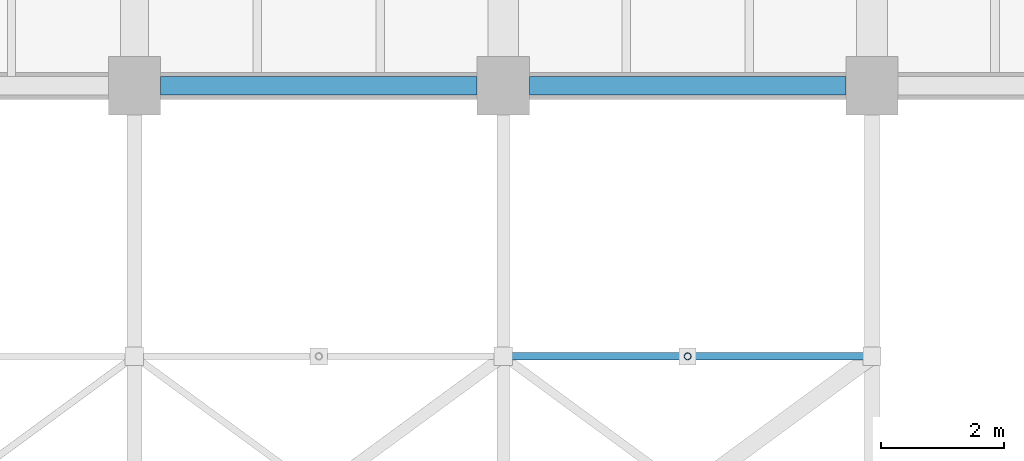
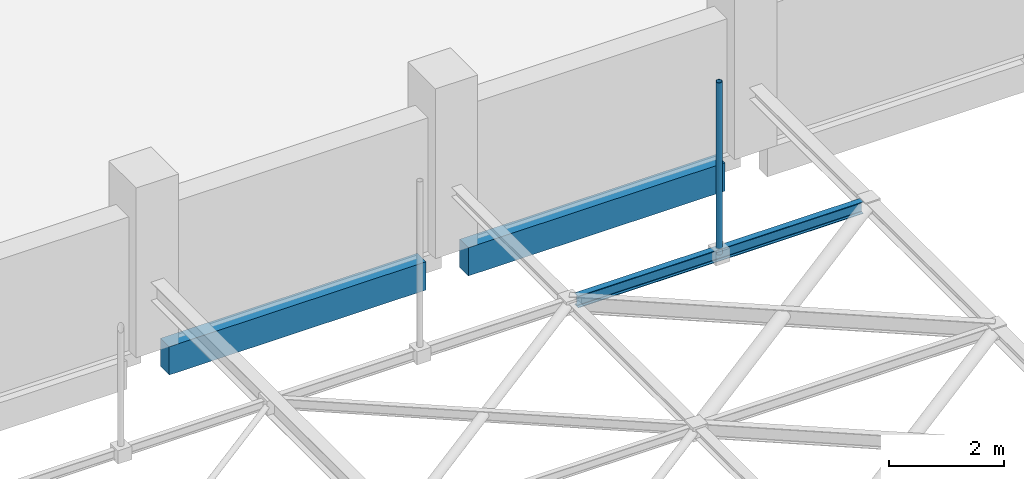
# One storey, part 55 of 93: 3 beams, 1 member.
"""IFC4 building model written with IfcOpenShell, lengths in metres."""

from ifc_helpers import new_model, si_unit, direction, frame, origin, origin_2d, place, context, subcontext, project, spatial, rectangle, hollow_circle, i_section, extrude, material, material_profile, profile_set, type_object, element, save


model = new_model("IFC4")

# Units and contexts
model_context = context("Model", 3, precision=1e-05, world=origin(), true_north=direction((0.0, 1.0)))
body_context = subcontext(model_context, "Body", "Model", "MODEL_VIEW")
ifc_project = project(units=[si_unit("LENGTHUNIT", "METRE"), si_unit("AREAUNIT", "SQUARE_METRE"), si_unit("VOLUMEUNIT", "CUBIC_METRE"), si_unit("PLANEANGLEUNIT", "RADIAN"), si_unit("MASSUNIT", "GRAM", prefix="KILO")], contexts=[model_context])

# Site, building, storey
site_placement = place(None, origin())
site = spatial("IfcSite", under=ifc_project, at=site_placement, CompositionType="ELEMENT")
building_placement = place(site_placement, origin())
building = spatial("IfcBuilding", under=site, at=building_placement, Name="Varnakota Cinema and Media Centre", CompositionType="ELEMENT")
storey_placement = place(building_placement, frame((0.0, 0.0, 12.0)))
storey = spatial("IfcBuildingStorey", under=building, at=storey_placement, Name="L03", CompositionType="ELEMENT", Elevation=12.0)

# Beams
ifc_material_1 = material(Name="Concrete M35", Category="concrete")
ifc_material_profile_1 = material_profile(ifc_material_1, rectangle(XDim=0.300048828125, YDim=0.60009765625, at=origin_2d()), Name="RCB 300x600")
ifc_profile_set_1 = profile_set([ifc_material_profile_1], Name="Concrete M35")
beam_type_1 = type_object("IfcBeamType", Name="BM-SP-300x600", PredefinedType="SPANDREL", material=ifc_profile_set_1)
for number, where, z_axis, x_axis, name in (
    (1, (117.425048828125, 35.199951171875, -0.56005859375), (1.0, 0.0, 0.0), (0.0, 1.0, 0.0), "L03 girder S-T/5"),
    (2, (123.425048828125, 35.199951171875, -0.56005859375), (1.0, 0.0, 0.0), (0.0, 1.0, 0.0), "L03 girder T-U/5"),
):
    element("IfcBeam", number, at=place(storey_placement, frame(where, z_axis=z_axis, x_axis=x_axis)), inside=storey, type_object=beam_type_1, Name=name, PredefinedType="SPANDREL", context=body_context, shape_type="SweptSolid", body=[
        extrude(rectangle(XDim=0.300048828125, YDim=0.60009765625, at=origin_2d()), origin(), (0.0, 0.0, 1.0), 5.14990234375),
    ])
ifc_material_2 = material(Name="Structural steel Grade 350 (E350)", Category="steel")
ifc_material_profile_2 = material_profile(ifc_material_2, i_section(OverallWidth=0.125, OverallDepth=0.25, WebThickness=0.0068359375, FlangeThickness=0.012451171875, FilletRadius=0.012939453125, at=origin_2d()), Name="ISMB 250")
ifc_profile_set_2 = profile_set([ifc_material_profile_2], Name="Structural steel Grade 350 (E350)")
beam_type_2 = type_object("IfcBeamType", Name="BM-ST-ISMB250", PredefinedType="JOIST", material=ifc_profile_set_2)
beam_placement = place(storey_placement, frame((123.139892578125, 30.800048828125, 1.300048828125), z_axis=(1.0, 0.0, 0.0), x_axis=(0.0, 1.0, 0.0)))
element("IfcBeam", 3, at=beam_placement, inside=storey, type_object=beam_type_2, Name="V1 rigging beam 9.7", PredefinedType="JOIST", context=body_context, shape_type="SweptSolid", body=[
    extrude(i_section(OverallWidth=0.125, OverallDepth=0.25, WebThickness=0.0068359375, FlangeThickness=0.012451171875, FilletRadius=0.012939453125, at=origin_2d()), origin(), (0.0, 0.0, 1.0), 5.72021484375),
])

# Member
ifc_material_3 = material(Name="Structural steel S355 (YSt 355)", Category="steel")
ifc_material_profile_3 = material_profile(ifc_material_3, hollow_circle(Radius=0.05712890625, WallThickness=0.00537109375, at=origin_2d()), Name="CHS 114.3x5.4")
ifc_profile_set_3 = profile_set([ifc_material_profile_3], Name="Structural steel S355 (YSt 355)")
member_type = type_object("IfcMemberType", Name="MEM-ST-CHS114_3x5_4", PredefinedType="BRACE", material=ifc_profile_set_3)
member_placement = place(storey_placement, frame((126.0, 30.800048828125, 1.300048828125), z_axis=(0.0, 0.0, 1.0), x_axis=(1.0, 0.0, 0.0)))
element("IfcMember", 4, at=member_placement, inside=storey, type_object=member_type, Name="V1 rigging hanger 9.4", PredefinedType="BRACE", context=body_context, shape_type="SweptSolid", body=[
    extrude(hollow_circle(Radius=0.05712890625, WallThickness=0.00537109375, at=origin_2d()), origin(), (0.0, 0.0, 1.0), 3.64990234375),
])

save(model, "model.ifc")
